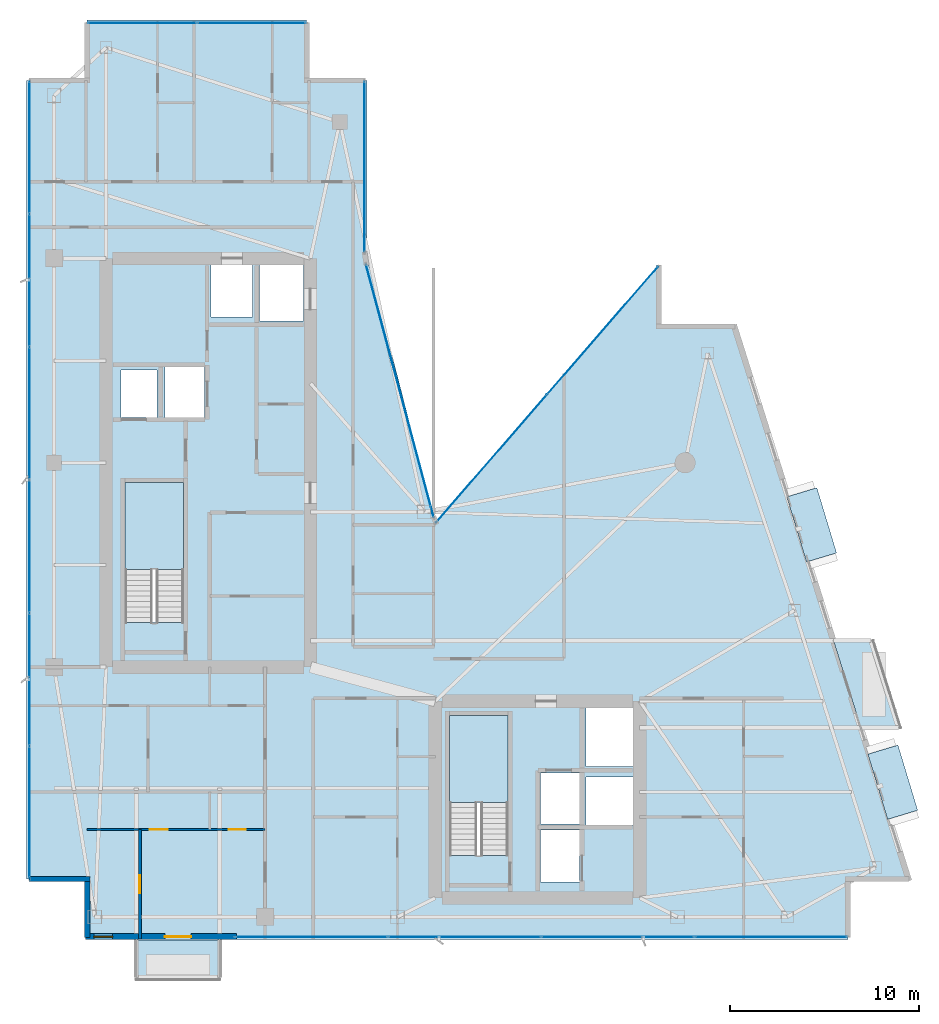
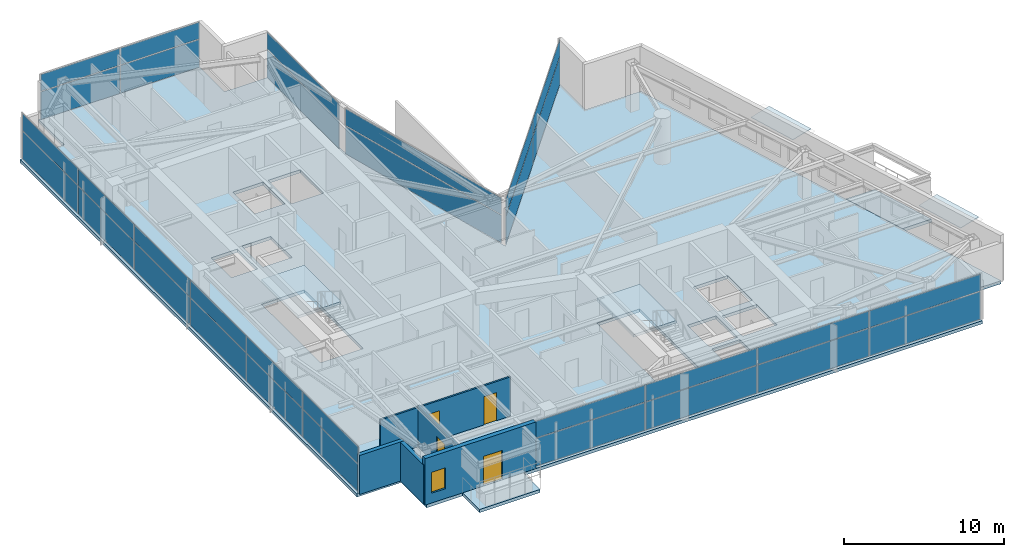
# One storey, part 23 of 29: 34 plates, 5 slabs, 5 walls, 4 doors, 1 window, 5 openings, 8 elements without a shape of their own.
"""IFC4 building model written with IfcOpenShell, lengths in metres."""

from ifc_helpers import new_model, si_unit, direction, frame, frame_2d, origin, origin_2d, place, context, subcontext, project, spatial, polyline, rectangle, outline, extrude, material, layer, layer_set, type_object, element, fill, aggregate, save


model = new_model("IFC4")

# Units and contexts
model_context = context("Model", 3, precision=1e-05, world=origin(), true_north=direction((0.0, 1.0)))
body_context = subcontext(model_context, "Body", "Model", "MODEL_VIEW")
ifc_project = project(units=[si_unit("LENGTHUNIT", "METRE"), si_unit("AREAUNIT", "SQUARE_METRE"), si_unit("VOLUMEUNIT", "CUBIC_METRE"), si_unit("PLANEANGLEUNIT", "RADIAN"), si_unit("MASSUNIT", "GRAM", prefix="KILO")], contexts=[model_context])

# Site, building, storey
site_placement = place(None, origin())
site = spatial("IfcSite", under=ifc_project, at=site_placement, CompositionType="ELEMENT")
building_placement = place(site_placement, origin())
building = spatial("IfcBuilding", under=site, at=building_placement, Name="Calvorn Quay Hotel", CompositionType="ELEMENT")
storey_placement = place(building_placement, frame((0.0, 0.0, 247.60009765625)))
storey = spatial("IfcBuildingStorey", under=building, at=storey_placement, Name="L61", CompositionType="ELEMENT", Elevation=247.60009765625)

# Curtain wall, plates
ifc_material_1 = material(Name="Champagne Bronze Anodised Aluminium and Low-E Glass", Category="aluminium")
ifc_layer_1 = layer(ifc_material_1, 0.219970703125)
ifc_layer_set_1 = layer_set([ifc_layer_1], Name="CW-SYS-Z4")
curtain_wall_type = type_object("IfcCurtainWallType", Name="CW-SYS-Z4", PredefinedType="NOTDEFINED", material=ifc_layer_set_1)
curtain_wall_1_placement = place(storey_placement, origin())
curtain_wall_1 = element("IfcCurtainWall", 1, at=curtain_wall_1_placement, inside=storey, type_object=curtain_wall_type, Name="Tower West Curtain Wall (L61)", PredefinedType="NOTDEFINED")
ifc_material_2 = material(Name="Low-E Laminated Double Glazing", Category="glass")
ifc_layer_2 = layer(ifc_material_2, 0.028076171875)
ifc_layer_set_2 = layer_set([ifc_layer_2], Name="CW-SYS-Z4-PAN")
plate_type_1 = type_object("IfcPlateType", Name="CW-SYS-Z4-PAN", PredefinedType="CURTAIN_PANEL", material=ifc_layer_set_2)
plate_1_placement = place(storey_placement, frame((0.14990234375, 9.131591796875, 0.06005859375), z_axis=(0.0, 0.0, 1.0), x_axis=(0.0, 1.0, 0.0)))
plate_1 = element("IfcPlate", 2, at=plate_1_placement, type_object=plate_type_1, Name="CW-L61-W panel 1.1", PredefinedType="CURTAIN_PANEL", context=body_context, shape_type="SweptSolid", body=[
    extrude(rectangle(XDim=6.943359375, YDim=0.028076171875, at=origin_2d()), origin(), (0.0, 0.0, 1.0), 2.110107421875),
])
plate_2_placement = place(storey_placement, frame((0.14990234375, 9.131591796875, 2.22998046875), z_axis=(0.0, 0.0, 1.0), x_axis=(0.0, 1.0, 0.0)))
plate_2 = element("IfcPlate", 3, at=plate_2_placement, type_object=plate_type_1, Name="CW-L61-W panel 1.2", PredefinedType="CURTAIN_PANEL", context=body_context, shape_type="SweptSolid", body=[
    extrude(rectangle(XDim=6.943359375, YDim=0.028076171875, at=origin_2d()), origin(), (0.0, 0.0, 1.0), 1.27001953125),
])
plate_3_placement = place(storey_placement, frame((0.14990234375, 16.14990234375, 0.06005859375), z_axis=(0.0, 0.0, 1.0), x_axis=(0.0, 1.0, 0.0)))
plate_3 = element("IfcPlate", 4, at=plate_3_placement, type_object=plate_type_1, Name="CW-L61-W panel 2.1", PredefinedType="CURTAIN_PANEL", context=body_context, shape_type="SweptSolid", body=[
    extrude(rectangle(XDim=6.973388671875, YDim=0.028076171875, at=origin_2d()), origin(), (0.0, 0.0, 1.0), 2.110107421875),
])
plate_4_placement = place(storey_placement, frame((0.14990234375, 16.14990234375, 2.22998046875), z_axis=(0.0, 0.0, 1.0), x_axis=(0.0, 1.0, 0.0)))
plate_4 = element("IfcPlate", 5, at=plate_4_placement, type_object=plate_type_1, Name="CW-L61-W panel 2.2", PredefinedType="CURTAIN_PANEL", context=body_context, shape_type="SweptSolid", body=[
    extrude(rectangle(XDim=6.973388671875, YDim=0.028076171875, at=origin_2d()), origin(), (0.0, 0.0, 1.0), 1.27001953125),
])
plate_5_placement = place(storey_placement, frame((0.14990234375, 23.183349609375, 0.06005859375), z_axis=(0.0, 0.0, 1.0), x_axis=(0.0, 1.0, 0.0)))
plate_5 = element("IfcPlate", 6, at=plate_5_placement, type_object=plate_type_1, Name="CW-L61-W panel 3.1", PredefinedType="CURTAIN_PANEL", context=body_context, shape_type="SweptSolid", body=[
    extrude(rectangle(XDim=6.973388671875, YDim=0.028076171875, at=origin_2d()), origin(), (0.0, 0.0, 1.0), 2.110107421875),
])
plate_6_placement = place(storey_placement, frame((0.14990234375, 23.183349609375, 2.22998046875), z_axis=(0.0, 0.0, 1.0), x_axis=(0.0, 1.0, 0.0)))
plate_6 = element("IfcPlate", 7, at=plate_6_placement, type_object=plate_type_1, Name="CW-L61-W panel 3.2", PredefinedType="CURTAIN_PANEL", context=body_context, shape_type="SweptSolid", body=[
    extrude(rectangle(XDim=6.973388671875, YDim=0.028076171875, at=origin_2d()), origin(), (0.0, 0.0, 1.0), 1.27001953125),
])
plate_7_placement = place(storey_placement, frame((0.14990234375, 30.216552734375, 0.06005859375), z_axis=(0.0, 0.0, 1.0), x_axis=(0.0, 1.0, 0.0)))
plate_7 = element("IfcPlate", 8, at=plate_7_placement, type_object=plate_type_1, Name="CW-L61-W panel 4.1", PredefinedType="CURTAIN_PANEL", context=body_context, shape_type="SweptSolid", body=[
    extrude(rectangle(XDim=6.973388671875, YDim=0.028076171875, at=origin_2d()), origin(), (0.0, 0.0, 1.0), 2.110107421875),
])
plate_8_placement = place(storey_placement, frame((0.14990234375, 30.216552734375, 2.22998046875), z_axis=(0.0, 0.0, 1.0), x_axis=(0.0, 1.0, 0.0)))
plate_8 = element("IfcPlate", 9, at=plate_8_placement, type_object=plate_type_1, Name="CW-L61-W panel 4.2", PredefinedType="CURTAIN_PANEL", context=body_context, shape_type="SweptSolid", body=[
    extrude(rectangle(XDim=6.973388671875, YDim=0.028076171875, at=origin_2d()), origin(), (0.0, 0.0, 1.0), 1.27001953125),
])
plate_9_placement = place(storey_placement, frame((0.14990234375, 37.25, 0.06005859375), z_axis=(0.0, 0.0, 1.0), x_axis=(0.0, 1.0, 0.0)))
plate_9 = element("IfcPlate", 10, at=plate_9_placement, type_object=plate_type_1, Name="CW-L61-W panel 5.1", PredefinedType="CURTAIN_PANEL", context=body_context, shape_type="SweptSolid", body=[
    extrude(rectangle(XDim=6.973388671875, YDim=0.028076171875, at=origin_2d()), origin(), (0.0, 0.0, 1.0), 2.110107421875),
])
plate_10_placement = place(storey_placement, frame((0.14990234375, 37.25, 2.22998046875), z_axis=(0.0, 0.0, 1.0), x_axis=(0.0, 1.0, 0.0)))
plate_10 = element("IfcPlate", 11, at=plate_10_placement, type_object=plate_type_1, Name="CW-L61-W panel 5.2", PredefinedType="CURTAIN_PANEL", context=body_context, shape_type="SweptSolid", body=[
    extrude(rectangle(XDim=6.973388671875, YDim=0.028076171875, at=origin_2d()), origin(), (0.0, 0.0, 1.0), 1.27001953125),
])
plate_11_placement = place(storey_placement, frame((0.14990234375, 44.268310546875, 0.06005859375), z_axis=(0.0, 0.0, 1.0), x_axis=(0.0, 1.0, 0.0)))
plate_11 = element("IfcPlate", 12, at=plate_11_placement, type_object=plate_type_1, Name="CW-L61-W panel 6.1", PredefinedType="CURTAIN_PANEL", context=body_context, shape_type="SweptSolid", body=[
    extrude(rectangle(XDim=6.943359375, YDim=0.028076171875, at=origin_2d()), origin(), (0.0, 0.0, 1.0), 2.110107421875),
])
plate_12_placement = place(storey_placement, frame((0.14990234375, 44.268310546875, 2.22998046875), z_axis=(0.0, 0.0, 1.0), x_axis=(0.0, 1.0, 0.0)))
plate_12 = element("IfcPlate", 13, at=plate_12_placement, type_object=plate_type_1, Name="CW-L61-W panel 6.2", PredefinedType="CURTAIN_PANEL", context=body_context, shape_type="SweptSolid", body=[
    extrude(rectangle(XDim=6.943359375, YDim=0.028076171875, at=origin_2d()), origin(), (0.0, 0.0, 1.0), 1.27001953125),
])
aggregate(curtain_wall_1, [plate_1, plate_2, plate_3, plate_4, plate_5, plate_6, plate_7, plate_8, plate_9, plate_10, plate_11, plate_12])

curtain_wall_2_placement = place(storey_placement, origin())
curtain_wall_2 = element("IfcCurtainWall", 14, at=curtain_wall_2_placement, inside=storey, type_object=curtain_wall_type, Name="Tower South Waterfront Curtain Wall (L61)", PredefinedType="NOTDEFINED")
plate_13_placement = place(storey_placement, frame((15.06494140625, 2.550048828125, 0.06005859375), z_axis=(0.0, 0.0, 1.0), x_axis=(1.0, 0.0, 0.0)))
plate_13 = element("IfcPlate", 15, at=plate_13_placement, type_object=plate_type_1, Name="CW-L61-S panel 1.1", PredefinedType="CURTAIN_PANEL", context=body_context, shape_type="SweptSolid", body=[
    extrude(rectangle(XDim=8.010009765625, YDim=0.028076171875, at=origin_2d()), origin(), (0.0, 0.0, 1.0), 2.110107421875),
])
plate_14_placement = place(storey_placement, frame((15.06494140625, 2.550048828125, 2.22998046875), z_axis=(0.0, 0.0, 1.0), x_axis=(1.0, 0.0, 0.0)))
plate_14 = element("IfcPlate", 16, at=plate_14_placement, type_object=plate_type_1, Name="CW-L61-S panel 1.2", PredefinedType="CURTAIN_PANEL", context=body_context, shape_type="SweptSolid", body=[
    extrude(rectangle(XDim=8.010009765625, YDim=0.028076171875, at=origin_2d()), origin(), (0.0, 0.0, 1.0), 1.27001953125),
])
plate_15_placement = place(storey_placement, frame((23.14990234375, 2.550048828125, 0.06005859375), z_axis=(0.0, 0.0, 1.0), x_axis=(1.0, 0.0, 0.0)))
plate_15 = element("IfcPlate", 17, at=plate_15_placement, type_object=plate_type_1, Name="CW-L61-S panel 2.1", PredefinedType="CURTAIN_PANEL", context=body_context, shape_type="SweptSolid", body=[
    extrude(rectangle(XDim=8.0400390625, YDim=0.028076171875, at=origin_2d()), origin(), (0.0, 0.0, 1.0), 2.110107421875),
])
plate_16_placement = place(storey_placement, frame((23.14990234375, 2.550048828125, 2.22998046875), z_axis=(0.0, 0.0, 1.0), x_axis=(1.0, 0.0, 0.0)))
plate_16 = element("IfcPlate", 18, at=plate_16_placement, type_object=plate_type_1, Name="CW-L61-S panel 2.2", PredefinedType="CURTAIN_PANEL", context=body_context, shape_type="SweptSolid", body=[
    extrude(rectangle(XDim=8.0400390625, YDim=0.028076171875, at=origin_2d()), origin(), (0.0, 0.0, 1.0), 1.27001953125),
])
plate_17_placement = place(storey_placement, frame((31.25, 2.550048828125, 0.06005859375), z_axis=(0.0, 0.0, 1.0), x_axis=(1.0, 0.0, 0.0)))
plate_17 = element("IfcPlate", 19, at=plate_17_placement, type_object=plate_type_1, Name="CW-L61-S panel 3.1", PredefinedType="CURTAIN_PANEL", context=body_context, shape_type="SweptSolid", body=[
    extrude(rectangle(XDim=8.0400390625, YDim=0.028076171875, at=origin_2d()), origin(), (0.0, 0.0, 1.0), 2.110107421875),
])
plate_18_placement = place(storey_placement, frame((31.25, 2.550048828125, 2.22998046875), z_axis=(0.0, 0.0, 1.0), x_axis=(1.0, 0.0, 0.0)))
plate_18 = element("IfcPlate", 20, at=plate_18_placement, type_object=plate_type_1, Name="CW-L61-S panel 3.2", PredefinedType="CURTAIN_PANEL", context=body_context, shape_type="SweptSolid", body=[
    extrude(rectangle(XDim=8.0400390625, YDim=0.028076171875, at=origin_2d()), origin(), (0.0, 0.0, 1.0), 1.27001953125),
])
plate_19_placement = place(storey_placement, frame((39.3349609375, 2.550048828125, 0.06005859375), z_axis=(0.0, 0.0, 1.0), x_axis=(1.0, 0.0, 0.0)))
plate_19 = element("IfcPlate", 21, at=plate_19_placement, type_object=plate_type_1, Name="CW-L61-S panel 4.1", PredefinedType="CURTAIN_PANEL", context=body_context, shape_type="SweptSolid", body=[
    extrude(rectangle(XDim=8.010009765625, YDim=0.028076171875, at=origin_2d()), origin(), (0.0, 0.0, 1.0), 2.110107421875),
])
plate_20_placement = place(storey_placement, frame((39.3349609375, 2.550048828125, 2.22998046875), z_axis=(0.0, 0.0, 1.0), x_axis=(1.0, 0.0, 0.0)))
plate_20 = element("IfcPlate", 22, at=plate_20_placement, type_object=plate_type_1, Name="CW-L61-S panel 4.2", PredefinedType="CURTAIN_PANEL", context=body_context, shape_type="SweptSolid", body=[
    extrude(rectangle(XDim=8.010009765625, YDim=0.028076171875, at=origin_2d()), origin(), (0.0, 0.0, 1.0), 1.27001953125),
])
aggregate(curtain_wall_2, [plate_13, plate_14, plate_15, plate_16, plate_17, plate_18, plate_19, plate_20])

curtain_wall_3_placement = place(storey_placement, origin())
curtain_wall_3 = element("IfcCurtainWall", 23, at=curtain_wall_3_placement, inside=storey, type_object=curtain_wall_type, Name="Inner Court Curtain Wall L61-NE1", PredefinedType="NOTDEFINED")
plate_21_placement = place(storey_placement, frame((30.440185546875, 34.588623046875, 0.06005859375), z_axis=(0.0, 0.0, 1.0), x_axis=(-0.655353317216, -0.755322467304, 0.0)))
plate_21 = element("IfcPlate", 24, at=plate_21_placement, type_object=plate_type_1, Name="CW-L61-NE1 panel 1.1", PredefinedType="CURTAIN_PANEL", context=body_context, shape_type="SweptSolid", body=[
    extrude(rectangle(XDim=8.912841796875, YDim=0.028076171875, at=origin_2d()), origin(), (0.0, 0.0, 1.0), 2.110107421875),
])
plate_22_placement = place(storey_placement, frame((30.440185546875, 34.588623046875, 2.22998046875), z_axis=(0.0, 0.0, 1.0), x_axis=(-0.655353317216, -0.755322467304, 0.0)))
plate_22 = element("IfcPlate", 25, at=plate_22_placement, type_object=plate_type_1, Name="CW-L61-NE1 panel 1.2", PredefinedType="CURTAIN_PANEL", context=body_context, shape_type="SweptSolid", body=[
    extrude(rectangle(XDim=8.912841796875, YDim=0.028076171875, at=origin_2d()), origin(), (0.0, 0.0, 1.0), 1.27001953125),
])
plate_23_placement = place(storey_placement, frame((24.559814453125, 27.811279296875, 0.06005859375), z_axis=(0.0, 0.0, 1.0), x_axis=(-0.655353317216, -0.755322467304, 0.0)))
plate_23 = element("IfcPlate", 26, at=plate_23_placement, type_object=plate_type_1, Name="CW-L61-NE1 panel 2.1", PredefinedType="CURTAIN_PANEL", context=body_context, shape_type="SweptSolid", body=[
    extrude(rectangle(XDim=8.912841796875, YDim=0.028076171875, at=origin_2d()), origin(), (0.0, 0.0, 1.0), 2.110107421875),
])
plate_24_placement = place(storey_placement, frame((24.559814453125, 27.811279296875, 2.22998046875), z_axis=(0.0, 0.0, 1.0), x_axis=(-0.655353317216, -0.755322467304, 0.0)))
plate_24 = element("IfcPlate", 27, at=plate_24_placement, type_object=plate_type_1, Name="CW-L61-NE1 panel 2.2", PredefinedType="CURTAIN_PANEL", context=body_context, shape_type="SweptSolid", body=[
    extrude(rectangle(XDim=8.912841796875, YDim=0.028076171875, at=origin_2d()), origin(), (0.0, 0.0, 1.0), 1.27001953125),
])
aggregate(curtain_wall_3, [plate_21, plate_22, plate_23, plate_24])

curtain_wall_4_placement = place(storey_placement, origin())
curtain_wall_4 = element("IfcCurtainWall", 28, at=curtain_wall_4_placement, inside=storey, type_object=curtain_wall_type, Name="Inner Court Curtain Wall L61-IC1", PredefinedType="NOTDEFINED")
plate_25_placement = place(storey_placement, frame((19.72509765625, 31.39990234375, 0.06005859375), z_axis=(0.0, 0.0, 1.0), x_axis=(-0.25877913024, 0.96593652056, 0.0)))
plate_25 = element("IfcPlate", 29, at=plate_25_placement, type_object=plate_type_1, Name="CW-L61-IC1 panel 1.1", PredefinedType="CURTAIN_PANEL", context=body_context, shape_type="SweptSolid", body=[
    extrude(rectangle(XDim=13.814697265625, YDim=0.028076171875, at=origin_2d()), origin(), (0.0, 0.0, 1.0), 2.110107421875),
])
plate_26_placement = place(storey_placement, frame((19.72509765625, 31.39990234375, 2.22998046875), z_axis=(0.0, 0.0, 1.0), x_axis=(-0.25877913024, 0.96593652056, 0.0)))
plate_26 = element("IfcPlate", 30, at=plate_26_placement, type_object=plate_type_1, Name="CW-L61-IC1 panel 1.2", PredefinedType="CURTAIN_PANEL", context=body_context, shape_type="SweptSolid", body=[
    extrude(rectangle(XDim=13.814697265625, YDim=0.028076171875, at=origin_2d()), origin(), (0.0, 0.0, 1.0), 1.27001953125),
])
aggregate(curtain_wall_4, [plate_25, plate_26])

curtain_wall_5_placement = place(storey_placement, origin())
curtain_wall_5 = element("IfcCurtainWall", 31, at=curtain_wall_5_placement, inside=storey, type_object=curtain_wall_type, Name="Inner Court Curtain Wall L61-IC2", PredefinedType="NOTDEFINED")
plate_27_placement = place(storey_placement, frame((17.85009765625, 43.239990234375, 0.06005859375), z_axis=(0.0, 0.0, 1.0), x_axis=(0.0, 1.0, 0.0)))
plate_27 = element("IfcPlate", 32, at=plate_27_placement, type_object=plate_type_1, Name="CW-L61-IC2 panel 1.1", PredefinedType="CURTAIN_PANEL", context=body_context, shape_type="SweptSolid", body=[
    extrude(rectangle(XDim=9.0, YDim=0.028076171875, at=origin_2d()), origin(), (0.0, 0.0, 1.0), 2.110107421875),
])
plate_28_placement = place(storey_placement, frame((17.85009765625, 43.239990234375, 2.22998046875), z_axis=(0.0, 0.0, 1.0), x_axis=(0.0, 1.0, 0.0)))
plate_28 = element("IfcPlate", 33, at=plate_28_placement, type_object=plate_type_1, Name="CW-L61-IC2 panel 1.2", PredefinedType="CURTAIN_PANEL", context=body_context, shape_type="SweptSolid", body=[
    extrude(rectangle(XDim=9.0, YDim=0.028076171875, at=origin_2d()), origin(), (0.0, 0.0, 1.0), 1.27001953125),
])
aggregate(curtain_wall_5, [plate_27, plate_28])

curtain_wall_6_placement = place(storey_placement, origin())
curtain_wall_6 = element("IfcCurtainWall", 34, at=curtain_wall_6_placement, inside=storey, type_object=curtain_wall_type, Name="Inner Court Curtain Wall L61-N1", PredefinedType="NOTDEFINED")
plate_29_placement = place(storey_placement, frame((11.885009765625, 50.85009765625, 0.06005859375), z_axis=(0.0, 0.0, 1.0), x_axis=(-1.0, 0.0, 0.0)))
plate_29 = element("IfcPlate", 35, at=plate_29_placement, type_object=plate_type_1, Name="CW-L61-N1 panel 1.1", PredefinedType="CURTAIN_PANEL", context=body_context, shape_type="SweptSolid", body=[
    extrude(rectangle(XDim=5.7099609375, YDim=0.028076171875, at=origin_2d()), origin(), (0.0, 0.0, 1.0), 2.110107421875),
])
plate_30_placement = place(storey_placement, frame((11.885009765625, 50.85009765625, 2.22998046875), z_axis=(0.0, 0.0, 1.0), x_axis=(-1.0, 0.0, 0.0)))
plate_30 = element("IfcPlate", 36, at=plate_30_placement, type_object=plate_type_1, Name="CW-L61-N1 panel 1.2", PredefinedType="CURTAIN_PANEL", context=body_context, shape_type="SweptSolid", body=[
    extrude(rectangle(XDim=5.7099609375, YDim=0.028076171875, at=origin_2d()), origin(), (0.0, 0.0, 1.0), 1.27001953125),
])
plate_31_placement = place(storey_placement, frame((6.114990234375, 50.85009765625, 0.06005859375), z_axis=(0.0, 0.0, 1.0), x_axis=(-1.0, 0.0, 0.0)))
plate_31 = element("IfcPlate", 37, at=plate_31_placement, type_object=plate_type_1, Name="CW-L61-N1 panel 2.1", PredefinedType="CURTAIN_PANEL", context=body_context, shape_type="SweptSolid", body=[
    extrude(rectangle(XDim=5.7099609375, YDim=0.028076171875, at=origin_2d()), origin(), (0.0, 0.0, 1.0), 2.110107421875),
])
plate_32_placement = place(storey_placement, frame((6.114990234375, 50.85009765625, 2.22998046875), z_axis=(0.0, 0.0, 1.0), x_axis=(-1.0, 0.0, 0.0)))
plate_32 = element("IfcPlate", 38, at=plate_32_placement, type_object=plate_type_1, Name="CW-L61-N1 panel 2.2", PredefinedType="CURTAIN_PANEL", context=body_context, shape_type="SweptSolid", body=[
    extrude(rectangle(XDim=5.7099609375, YDim=0.028076171875, at=origin_2d()), origin(), (0.0, 0.0, 1.0), 1.27001953125),
])
aggregate(curtain_wall_6, [plate_29, plate_30, plate_31, plate_32])

# Plates
ifc_material_3 = material(Name="Tempered Laminated Low-E Glass", Category="glass")
ifc_layer_3 = layer(ifc_material_3, 0.0380859375)
ifc_layer_set_3 = layer_set([ifc_layer_3], Name="PLT-HOOD-GLAZ")
plate_type_2 = type_object("IfcPlateType", Name="PLT-HOOD-GLAZ", PredefinedType="SHEET", material=ifc_layer_set_3)
for number, where, z_axis, x_axis, name in (
    (39, (45.77490234375, 10.718017578125, 2.466796875), (0.0, 0.0, 1.0), (0.957319497532, 0.289031796944, 0.0), "Angled Glass Bay Hood Panel L61-HOOD-1"),
    (40, (41.489013671875, 24.318115234375, 2.466796875), (0.0, 0.0, 1.0), (0.957319497532, 0.289031796944, 0.0), "Angled Glass Bay Hood Panel L61-HOOD-3"),
):
    element("IfcPlate", number, at=place(storey_placement, frame(where, z_axis=z_axis, x_axis=x_axis)), inside=storey, type_object=plate_type_2, Name=name, PredefinedType="SHEET", context=body_context, shape_type="SweptSolid", body=[
        extrude(rectangle(XDim=1.659912109375, YDim=3.60009765625, at=origin_2d()), origin(), (0.0, 0.0, 1.0), 0.0380859375),
    ])

# Slabs
ifc_material_4 = material(Name="Concrete C40", Category="concrete")
ifc_layer_4 = layer(ifc_material_4, 0.239990234375)
ifc_layer_set_4 = layer_set([ifc_layer_4], Name="SLB-BALCONY-220")
slab_type_1 = type_object("IfcSlabType", Name="SLB-BALCONY-220", PredefinedType="FLOOR", material=ifc_layer_set_4)
slab_1_placement = place(storey_placement, frame((0.0, 0.0, -0.239990234375)))
element("IfcSlab", 41, at=slab_1_placement, inside=storey, type_object=slab_type_1, Name="Tree Balcony Slab L61-BALC-E", PredefinedType="FLOOR", context=body_context, shape_type="SweptSolid", body=[
    extrude(outline(polyline([(44.089111328125, 13.60009765625), (46.18896484375, 13.60009765625), (44.739990234375, 18.199951171875), (42.639892578125, 18.199951171875), (44.089111328125, 13.60009765625)])), origin(), (0.0, 0.0, 1.0), 0.239990234375),
])
slab_2_placement = place(storey_placement, frame((0.0, 0.0, -0.239990234375)))
element("IfcSlab", 42, at=slab_2_placement, inside=storey, type_object=slab_type_1, Name="Tree Balcony Slab L61-BALC-S", PredefinedType="FLOOR", context=body_context, shape_type="SweptSolid", body=[
    extrude(outline(polyline([(5.800048828125, 0.2900390625), (10.199951171875, 0.2900390625), (10.199951171875, 2.389892578125), (5.800048828125, 2.389892578125), (5.800048828125, 0.2900390625)])), origin(), (0.0, 0.0, 1.0), 0.239990234375),
])

# Stair, slab
ifc_material_5 = material(Name="Concrete C40", Category="concrete")
stair_type = type_object("IfcStairType", Name="STR-CORE-DOGLEG", PredefinedType="HALF_TURN_STAIR", material=ifc_material_5)
stair_1_placement = place(storey_placement, origin())
stair_1 = element("IfcStair", 43, at=stair_1_placement, inside=storey, type_object=stair_type, Name="L61 ST-W", PredefinedType="HALF_TURN_STAIR")
ifc_material_6 = material(Name="Concrete C40", Category="concrete")
ifc_layer_5 = layer(ifc_material_6, 0.199951171875)
ifc_layer_set_5 = layer_set([ifc_layer_5], Name="SLB-STAIR-LANDING-200")
slab_type_2 = type_object("IfcSlabType", Name="SLB-STAIR-LANDING-200", PredefinedType="LANDING", material=ifc_layer_set_5)
slab_3_placement = place(storey_placement, frame((0.0, 0.0, 1.699951171875)))
slab_3 = element("IfcSlab", 44, at=slab_3_placement, type_object=slab_type_2, Name="ST-W landing 1", PredefinedType="LANDING", context=body_context, shape_type="SweptSolid", body=[
    extrude(outline(polyline([(8.300048828125, 21.949951171875), (8.300048828125, 26.550048828125), (5.199951171875, 26.550048828125), (5.199951171875, 21.949951171875), (8.300048828125, 21.949951171875)])), origin(), (0.0, 0.0, 1.0), 0.199951171875),
])
aggregate(stair_1, [slab_3])

stair_2_placement = place(storey_placement, origin())
stair_2 = element("IfcStair", 45, at=stair_2_placement, inside=storey, type_object=stair_type, Name="L61 ST-E", PredefinedType="HALF_TURN_STAIR")
slab_4_placement = place(storey_placement, frame((0.0, 0.0, 1.699951171875)))
slab_4 = element("IfcSlab", 46, at=slab_4_placement, type_object=slab_type_2, Name="ST-E landing 1", PredefinedType="LANDING", context=body_context, shape_type="SweptSolid", body=[
    extrude(outline(polyline([(25.449951171875, 9.64990234375), (25.449951171875, 14.25), (22.35009765625, 14.25), (22.35009765625, 9.64990234375), (25.449951171875, 9.64990234375)])), origin(), (0.0, 0.0, 1.0), 0.199951171875),
])
aggregate(stair_2, [slab_4])

# Slab
ifc_material_7 = material(Name="Concrete C40", Category="concrete")
ifc_layer_6 = layer(ifc_material_7, 0.239990234375)
ifc_layer_set_6 = layer_set([ifc_layer_6], Name="SLB-TOWER-240")
slab_type_3 = type_object("IfcSlabType", Name="SLB-TOWER-240", PredefinedType="FLOOR", material=ifc_layer_set_6)
slab_5_placement = place(storey_placement, frame((0.0, 0.0, -0.239990234375)))
element("IfcSlab", 47, at=slab_5_placement, inside=storey, type_object=slab_type_3, Name="L61 Structural Floor Slab", PredefinedType="FLOOR", context=body_context, shape_type="SweptSolid", body=[
    extrude(outline(polyline([(0.0, 5.60009765625), (3.199951171875, 5.60009765625), (3.199951171875, 2.39990234375), (43.39990234375, 2.39990234375), (43.39990234375, 5.60009765625), (46.60009765625, 5.60009765625), (37.39990234375, 34.800048828125), (33.39990234375, 34.800048828125), (33.39990234375, 38.0), (21.60009765625, 24.39990234375), (18.0, 38.39990234375), (18.0, 47.800048828125), (14.800048828125, 47.800048828125), (14.800048828125, 51.0), (3.199951171875, 51.0), (3.199951171875, 47.800048828125), (0.0, 47.800048828125), (0.0, 5.60009765625)]), holes=[polyline([(5.199951171875, 19.156005859375), (8.300048828125, 19.156005859375), (8.300048828125, 26.550048828125), (5.199951171875, 26.550048828125), (5.199951171875, 19.156005859375)]), polyline([(22.35009765625, 6.85595703125), (25.449951171875, 6.85595703125), (25.449951171875, 14.25), (22.35009765625, 14.25), (22.35009765625, 6.85595703125)]), polyline([(5.0, 30.0), (6.89990234375, 30.0), (6.89990234375, 32.5), (5.0, 32.5), (5.0, 30.0)]), polyline([(7.300048828125, 30.0), (9.39990234375, 30.0), (9.39990234375, 32.64990234375), (7.300048828125, 32.64990234375), (7.300048828125, 30.0)]), polyline([(27.159912109375, 8.5), (29.2099609375, 8.5), (29.2099609375, 11.199951171875), (27.159912109375, 11.199951171875), (27.159912109375, 8.5)]), polyline([(27.159912109375, 5.449951171875), (29.2099609375, 5.449951171875), (29.2099609375, 8.199951171875), (27.159912109375, 8.199951171875), (27.159912109375, 5.449951171875)]), polyline([(12.300048828125, 35.10009765625), (14.639892578125, 35.10009765625), (14.639892578125, 38.0400390625), (12.300048828125, 38.0400390625), (12.300048828125, 35.10009765625)]), polyline([(9.75, 35.300048828125), (11.949951171875, 35.300048828125), (11.949951171875, 38.0400390625), (9.75, 38.0400390625), (9.75, 35.300048828125)]), polyline([(29.550048828125, 11.550048828125), (32.0400390625, 11.550048828125), (32.0400390625, 14.639892578125), (29.550048828125, 14.639892578125), (29.550048828125, 11.550048828125)]), polyline([(29.550048828125, 8.449951171875), (32.0400390625, 8.449951171875), (32.0400390625, 11.0), (29.550048828125, 11.0), (29.550048828125, 8.449951171875)])]), origin(), (0.0, 0.0, 1.0), 0.239990234375),
])

# Wall, openings, doors
ifc_material_8 = material(Name="Moisture-Resistant Tile-Backed Partition")
ifc_layer_7 = layer(ifc_material_8, 0.125)
ifc_layer_set_7 = layer_set([ifc_layer_7], Name="WL-ENSUITE-125")
wall_type_1 = type_object("IfcWallType", Name="WL-ENSUITE-125", PredefinedType="PARTITIONING", material=ifc_layer_set_7)
wall_1_placement = place(storey_placement, frame((3.199951171875, 8.219970703125, 0.0), z_axis=(0.0, 0.0, 1.0), x_axis=(1.0, 0.0, 0.0)))
wall_1 = element("IfcWall", 48, at=wall_1_placement, inside=storey, type_object=wall_type_1, Name="Partition Wall L61-WL-U01-BH", PredefinedType="PARTITIONING", context=body_context, shape_type="SweptSolid", body=[
    extrude(rectangle(XDim=9.400146484375, YDim=0.125, at=frame_2d((4.7001953125, 0.0))), origin(), (0.0, 0.0, 1.0), 2.989990234375),
])
opening_1_placement = place(wall_1_placement, frame((3.300048828125, 0.0, 0.0)))
opening_1 = element("IfcOpeningElement", 49, at=opening_1_placement, cuts=wall_1, Name="Opening D-L61-S01", PredefinedType="OPENING", context=body_context, shape_type="SweptSolid", body=[
    extrude(rectangle(XDim=0.9599609375, YDim=2.199951171875, at=frame_2d((0.47998046875, 1.10009765625))), frame((0.0, 0.072509765625, 0.0), z_axis=(0.0, -1.0, 0.0), x_axis=(1.0, 0.0, 0.0)), (0.0, 0.0, 1.0), 0.14501953125),
])
opening_2_placement = place(wall_1_placement, frame((7.489990234375, 0.0, 0.0)))
opening_2 = element("IfcOpeningElement", 50, at=opening_2_placement, cuts=wall_1, Name="Opening D-L61-E01", PredefinedType="OPENING", context=body_context, shape_type="SweptSolid", body=[
    extrude(rectangle(XDim=0.89990234375, YDim=2.14990234375, at=frame_2d((0.449951171875, 1.074951171875))), frame((0.0, 0.072509765625, 0.0), z_axis=(0.0, -1.0, 0.0), x_axis=(1.0, 0.0, 0.0)), (0.0, 0.0, 1.0), 0.14501953125),
])
ifc_material_9 = material(Name="Moisture-Sealed Timber En-Suite Door", Category="wood")
door_type_1 = type_object("IfcDoorType", Name="DR-ENSUITE-900", OperationType="NOTDEFINED", PredefinedType="DOOR", material=ifc_material_9)
door_1_placement = place(opening_2_placement, origin())
door_1 = element("IfcDoor", 51, at=door_1_placement, inside=storey, type_object=door_type_1, Name="En-Suite Door 01", OperationType="SINGLE_SWING_RIGHT", OverallHeight=2.14990234375, OverallWidth=0.89990234375, PredefinedType="DOOR", context=body_context, shape_type="SweptSolid", body=[
    extrude(rectangle(XDim=0.89990234375, YDim=2.14990234375, at=frame_2d((0.449951171875, 1.074951171875))), frame((0.0, 0.02490234375, 0.0), z_axis=(0.0, -1.0, 0.0), x_axis=(1.0, 0.0, 0.0)), (0.0, 0.0, 1.0), 0.050048828125),
])
fill(opening_2, door_1)
ifc_material_10 = material(Name="Solid Timber Internal Suite Door", Category="wood")
door_type_2 = type_object("IfcDoorType", Name="DR-SUITE-INT-960", OperationType="NOTDEFINED", PredefinedType="DOOR", material=ifc_material_10)
door_2_placement = place(opening_1_placement, origin())
door_2 = element("IfcDoor", 52, at=door_2_placement, inside=storey, type_object=door_type_2, Name="Curated Resort Boutique Door 01", OperationType="SINGLE_SWING_LEFT", OverallHeight=2.199951171875, OverallWidth=0.9599609375, PredefinedType="DOOR", context=body_context, shape_type="SweptSolid", body=[
    extrude(rectangle(XDim=0.9599609375, YDim=2.199951171875, at=frame_2d((0.47998046875, 1.10009765625))), frame((0.0, 0.02490234375, 0.0), z_axis=(0.0, -1.0, 0.0), x_axis=(1.0, 0.0, 0.0)), (0.0, 0.0, 1.0), 0.050048828125),
])
fill(opening_1, door_2)

# Wall, openings, door, window
ifc_material_11 = material(Name="Concrete C40", Category="concrete")
ifc_layer_8 = layer(ifc_material_11, 0.320068359375)
ifc_layer_set_8 = layer_set([ifc_layer_8], Name="WL-EXT-SPANDREL-320")
wall_type_2 = type_object("IfcWallType", Name="WL-EXT-SPANDREL-320", PredefinedType="SOLIDWALL", material=ifc_layer_set_8)
wall_2_placement = place(storey_placement, frame((3.10009765625, 2.56005859375, 0.0), z_axis=(0.0, 0.0, 1.0), x_axis=(1.0, 0.0, 0.0)))
wall_2 = element("IfcWall", 53, at=wall_2_placement, inside=storey, type_object=wall_type_2, Name="South Balcony Exterior Wall (L61)", PredefinedType="SOLIDWALL", context=body_context, shape_type="SweptSolid", body=[
    extrude(rectangle(XDim=8.0, YDim=0.320068359375, at=frame_2d((4.0, 0.0))), origin(), (0.0, 0.0, 1.0), 3.559814453125),
])
opening_3_placement = place(wall_2_placement, frame((0.449951171875, 0.0, 0.75)))
opening_3 = element("IfcOpeningElement", 54, at=opening_3_placement, cuts=wall_2, Name="Opening WSB-L61-1", PredefinedType="OPENING", context=body_context, shape_type="SweptSolid", body=[
    extrude(rectangle(XDim=1.0, YDim=1.60009765625, at=frame_2d((0.5, 0.800048828125))), frame((0.0, 0.169921875, 0.0), z_axis=(0.0, -1.0, 0.0), x_axis=(1.0, 0.0, 0.0)), (0.0, 0.0, 1.0), 0.340087890625),
])
opening_4_placement = place(wall_2_placement, frame((4.199951171875, 0.0, 0.0)))
opening_4 = element("IfcOpeningElement", 55, at=opening_4_placement, cuts=wall_2, Name="Opening DB-L61-2", PredefinedType="OPENING", context=body_context, shape_type="SweptSolid", body=[
    extrude(rectangle(XDim=1.39990234375, YDim=2.25, at=frame_2d((0.699951171875, 1.125))), frame((0.0, 0.169921875, 0.0), z_axis=(0.0, -1.0, 0.0), x_axis=(1.0, 0.0, 0.0)), (0.0, 0.0, 1.0), 0.340087890625),
])
ifc_material_12 = material(Name="Typhoon-Rated Low-E Aluminium Terrace Door", Category="aluminium")
door_type_3 = type_object("IfcDoorType", Name="DR-BALCONY-GLZ-1400", OperationType="NOTDEFINED", PredefinedType="DOOR", material=ifc_material_12)
door_3_placement = place(opening_4_placement, origin())
door_3 = element("IfcDoor", 56, at=door_3_placement, inside=storey, type_object=door_type_3, Name="Tree Balcony Terrace Door L61-BALC-S", OperationType="SINGLE_SWING_LEFT", OverallHeight=2.25, OverallWidth=1.39990234375, PredefinedType="DOOR", context=body_context, shape_type="SweptSolid", body=[
    extrude(rectangle(XDim=1.39990234375, YDim=2.25, at=frame_2d((0.699951171875, 1.125))), frame((0.0, 0.02490234375, 0.0), z_axis=(0.0, -1.0, 0.0), x_axis=(1.0, 0.0, 0.0)), (0.0, 0.0, 1.0), 0.050048828125),
])
fill(opening_4, door_3)
ifc_material_13 = material(Name="Self-Closing Class B Side Fire Window")
window_type = type_object("IfcWindowType", Name="WIN-REFUGE-NARROW-1000x1600", PartitioningType="SINGLE_PANEL", PredefinedType="WINDOW", material=ifc_material_13)
window_placement = place(opening_3_placement, origin())
window = element("IfcWindow", 57, at=window_placement, inside=storey, type_object=window_type, Name="South Waterfront Side Window (L61)", OverallHeight=1.60009765625, OverallWidth=1.0, PartitioningType="SINGLE_PANEL", PredefinedType="WINDOW", context=body_context, shape_type="SweptSolid", body=[
    extrude(rectangle(XDim=1.0, YDim=1.60009765625, at=frame_2d((0.5, 0.800048828125))), frame((0.0, 0.030029296875, 0.0), z_axis=(0.0, -1.0, 0.0), x_axis=(1.0, 0.0, 0.0)), (0.0, 0.0, 1.0), 0.06005859375),
])
fill(opening_3, window)

# Walls
wall_3_placement = place(storey_placement, frame((0.1201171875, 5.60009765625, 0.0), z_axis=(0.0, 0.0, 1.0), x_axis=(1.0, 0.0, 0.0)))
element("IfcWall", 58, at=wall_3_placement, inside=storey, type_object=wall_type_2, Name="Notched Corner Spandrel L61-SW1", PredefinedType="SOLIDWALL", context=body_context, shape_type="SweptSolid", body=[
    extrude(rectangle(XDim=3.219970703125, YDim=0.280029296875, at=frame_2d((1.60986328125, 0.0))), origin(), (0.0, 0.0, 1.0), 2.989990234375),
])
wall_4_placement = place(storey_placement, frame((3.199951171875, 5.4599609375, 0.0), z_axis=(0.0, 0.0, 1.0), x_axis=(0.0, -1.0, 0.0)))
element("IfcWall", 59, at=wall_4_placement, inside=storey, type_object=wall_type_2, Name="Notched Corner Spandrel L61-SW2", PredefinedType="SOLIDWALL", context=body_context, shape_type="SweptSolid", body=[
    extrude(rectangle(XDim=2.93994140625, YDim=0.280029296875, at=frame_2d((1.469970703125, 0.0))), origin(), (0.0, 0.0, 1.0), 2.989990234375),
])

# Wall, opening, door
ifc_material_14 = material(Name="Double-Stud Acoustic Gypsum Partition")
ifc_layer_9 = layer(ifc_material_14, 0.159912109375)
ifc_layer_set_9 = layer_set([ifc_layer_9], Name="WL-INTERSUITE-160")
wall_type_3 = type_object("IfcWallType", Name="WL-INTERSUITE-160", PredefinedType="PARTITIONING", material=ifc_layer_set_9)
wall_5_placement = place(storey_placement, frame((5.97998046875, 2.43994140625, 0.0), z_axis=(0.0, 0.0, 1.0), x_axis=(0.0, 1.0, 0.0)))
wall_5 = element("IfcWall", 60, at=wall_5_placement, inside=storey, type_object=wall_type_3, Name="Partition Wall L61-WL-U01-MSP", PredefinedType="PARTITIONING", context=body_context, shape_type="SweptSolid", body=[
    extrude(rectangle(XDim=5.780029296875, YDim=0.159912109375, at=frame_2d((2.89013671875, 0.0))), origin(), (0.0, 0.0, 1.0), 3.08984375),
])
opening_5_placement = place(wall_5_placement, frame((2.409912109375, 0.0, 0.0)))
opening_5 = element("IfcOpeningElement", 61, at=opening_5_placement, cuts=wall_5, Name="Opening D-L61-M01", PredefinedType="OPENING", context=body_context, shape_type="SweptSolid", body=[
    extrude(rectangle(XDim=0.9599609375, YDim=2.199951171875, at=frame_2d((0.47998046875, 1.10009765625))), frame((0.0, 0.08984375, 0.0), z_axis=(0.0, -1.0, 0.0), x_axis=(1.0, 0.0, 0.0)), (0.0, 0.0, 1.0), 0.179931640625),
])
door_4_placement = place(opening_5_placement, origin())
door_4 = element("IfcDoor", 62, at=door_4_placement, inside=storey, type_object=door_type_2, Name="Suite Bedroom Door 01", OperationType="SINGLE_SWING_LEFT", OverallHeight=2.199951171875, OverallWidth=0.9599609375, PredefinedType="DOOR", context=body_context, shape_type="SweptSolid", body=[
    extrude(rectangle(XDim=0.9599609375, YDim=2.199951171875, at=frame_2d((0.47998046875, 1.10009765625))), frame((0.0, 0.02490234375, 0.0), z_axis=(0.0, -1.0, 0.0), x_axis=(1.0, 0.0, 0.0)), (0.0, 0.0, 1.0), 0.050048828125),
])
fill(opening_5, door_4)

save(model, "model.ifc")
